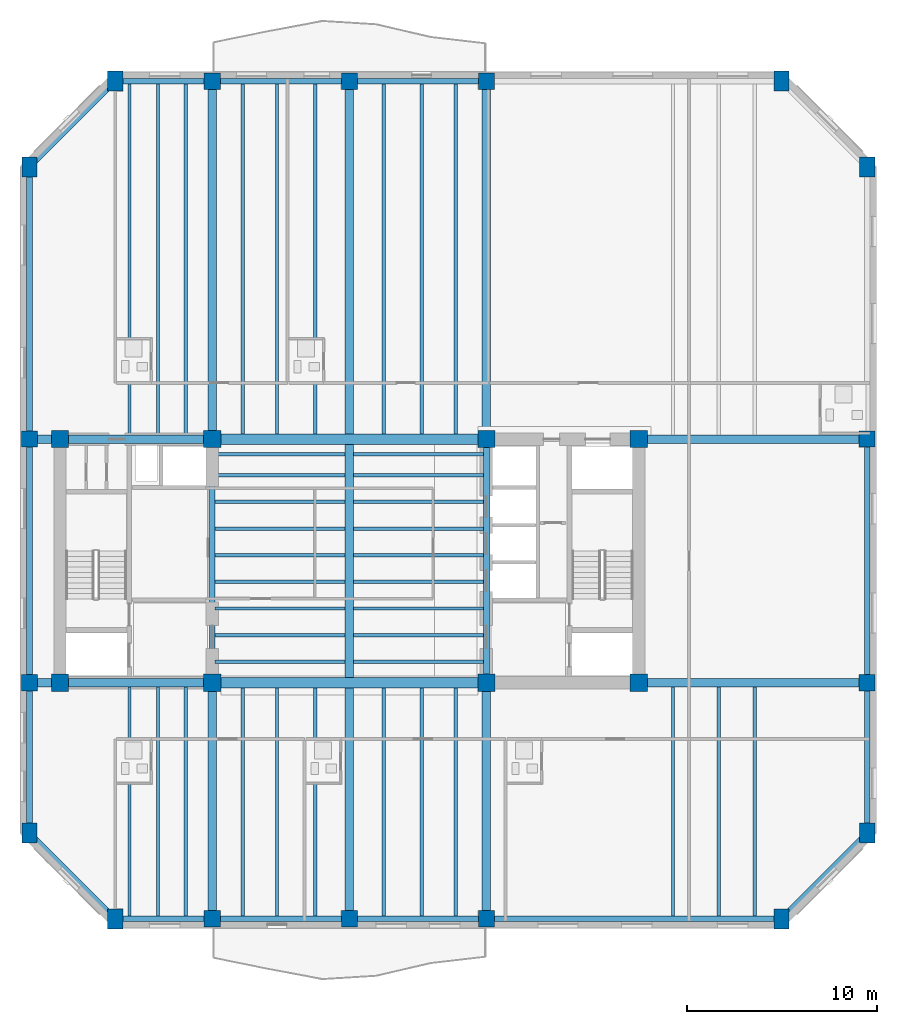
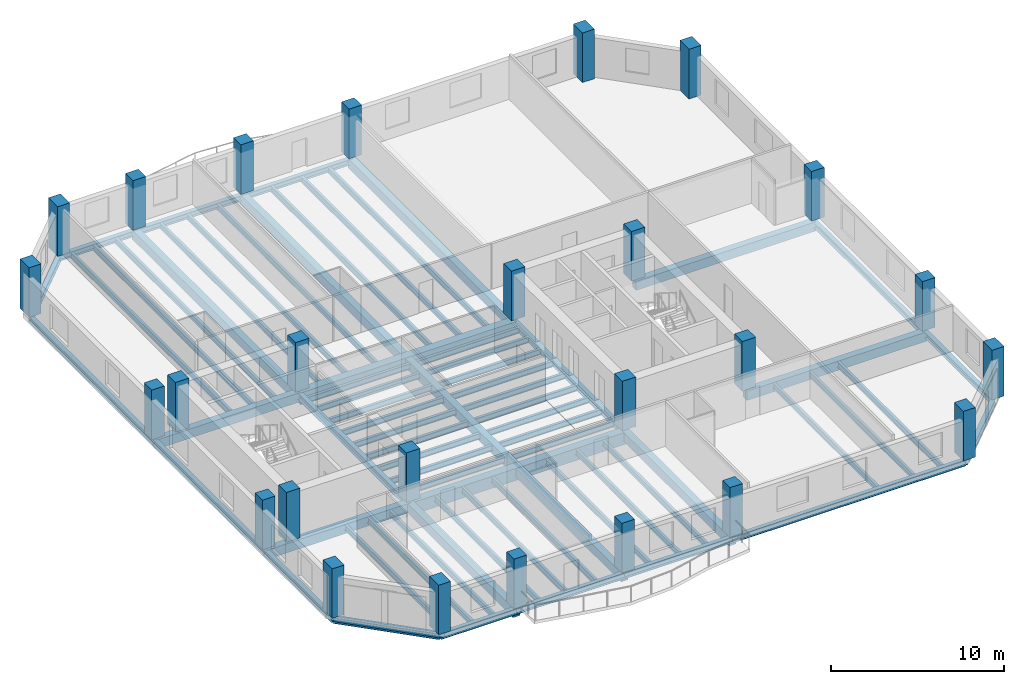
# One storey, part 1 of 9: 69 beams, 26 columns.
"""IFC4 building model written with IfcOpenShell, lengths in metres."""

from ifc_helpers import new_model, si_unit, direction, frame, origin, origin_2d, place, context, subcontext, project, spatial, rectangle, i_section, extrude, material, material_profile, profile_set, type_object, element, save


model = new_model("IFC4")

# Units and contexts
model_context = context("Model", 3, precision=1e-05, world=origin(), true_north=direction((0.0, 1.0)))
body_context = subcontext(model_context, "Body", "Model", "MODEL_VIEW")
ifc_project = project(units=[si_unit("LENGTHUNIT", "METRE"), si_unit("AREAUNIT", "SQUARE_METRE"), si_unit("VOLUMEUNIT", "CUBIC_METRE"), si_unit("PLANEANGLEUNIT", "RADIAN"), si_unit("MASSUNIT", "GRAM", prefix="KILO")], contexts=[model_context])

# Site, building, storey
site_placement = place(None, origin())
site = spatial("IfcSite", under=ifc_project, at=site_placement, CompositionType="ELEMENT")
building_placement = place(site_placement, origin())
building = spatial("IfcBuilding", under=site, at=building_placement, Name="Kranthara Brick Stack", CompositionType="ELEMENT")
storey_placement = place(building_placement, frame((0.0, 0.0, 169.300048828125)))
storey = spatial("IfcBuildingStorey", under=building, at=storey_placement, Name="L43", CompositionType="ELEMENT", Elevation=169.300048828125)

# Columns
ifc_material_1 = material(Name="Concrete C60/75", Category="concrete")
ifc_material_profile_1 = material_profile(ifc_material_1, rectangle(XDim=0.800048828125, YDim=1.050048828125, at=origin_2d()), Name="RC 800x1050")
ifc_profile_set_1 = profile_set([ifc_material_profile_1], Name="Concrete C60/75")
column_type_1 = type_object("IfcColumnType", Name="COL-CHAM-800x1050", PredefinedType="COLUMN", material=ifc_profile_set_1)
for number, where, z_axis, x_axis, name in (
    (1, (15.699951171875, 8.39990234375, 0.0), (0.0, 0.0, 1.0), (1.0, 0.0, 0.0), "L43 Column 09"),
    (2, (15.699951171875, 52.39990234375, 0.0), (0.0, 0.0, 1.0), (1.0, 0.0, 0.0), "L43 Column 10"),
    (3, (50.699951171875, 8.39990234375, 0.0), (0.0, 0.0, 1.0), (1.0, 0.0, 0.0), "L43 Column 17"),
    (4, (50.699951171875, 52.39990234375, 0.0), (0.0, 0.0, 1.0), (1.0, 0.0, 0.0), "L43 Column 18"),
    (5, (11.199951171875, 12.89990234375, 0.0), (0.0, 0.0, 1.0), (1.0, 0.0, 0.0), "L43 Column 19"),
    (6, (55.199951171875, 12.89990234375, 0.0), (0.0, 0.0, 1.0), (1.0, 0.0, 0.0), "L43 Column 20"),
    (7, (11.199951171875, 47.89990234375, 0.0), (0.0, 0.0, 1.0), (1.0, 0.0, 0.0), "L43 Column 25"),
    (8, (55.199951171875, 47.89990234375, 0.0), (0.0, 0.0, 1.0), (1.0, 0.0, 0.0), "L43 Column 26"),
):
    element("IfcColumn", number, at=place(storey_placement, frame(where, z_axis=z_axis, x_axis=x_axis)), inside=storey, type_object=column_type_1, Name=name, PredefinedType="COLUMN", context=body_context, shape_type="SweptSolid", body=[
        extrude(rectangle(XDim=0.800048828125, YDim=1.050048828125, at=origin_2d()), origin(), (0.0, 0.0, 1.0), 3.5),
    ])
ifc_material_2 = material(Name="Concrete C60/75", Category="concrete")
ifc_material_profile_2 = material_profile(ifc_material_2, rectangle(XDim=0.89990234375, YDim=0.89990234375, at=origin_2d()), Name="RC 900x900")
ifc_profile_set_2 = profile_set([ifc_material_profile_2], Name="Concrete C60/75")
column_type_2 = type_object("IfcColumnType", Name="COL-CORE-900", PredefinedType="COLUMN", material=ifc_profile_set_2)
for number, where, z_axis, x_axis, name in (
    (9, (12.800048828125, 20.800048828125, 0.0), (0.0, 0.0, 1.0), (1.0, 0.0, 0.0), "L43 Column 01"),
    (10, (20.800048828125, 20.800048828125, 0.0), (0.0, 0.0, 1.0), (1.0, 0.0, 0.0), "L43 Column 02"),
    (11, (12.800048828125, 33.60009765625, 0.0), (0.0, 0.0, 1.0), (1.0, 0.0, 0.0), "L43 Column 03"),
    (12, (20.800048828125, 33.60009765625, 0.0), (0.0, 0.0, 1.0), (1.0, 0.0, 0.0), "L43 Column 04"),
    (13, (35.199951171875, 20.800048828125, 0.0), (0.0, 0.0, 1.0), (1.0, 0.0, 0.0), "L43 Column 05"),
    (14, (43.199951171875, 20.800048828125, 0.0), (0.0, 0.0, 1.0), (1.0, 0.0, 0.0), "L43 Column 06"),
    (15, (35.199951171875, 33.60009765625, 0.0), (0.0, 0.0, 1.0), (1.0, 0.0, 0.0), "L43 Column 07"),
    (16, (43.199951171875, 33.60009765625, 0.0), (0.0, 0.0, 1.0), (1.0, 0.0, 0.0), "L43 Column 08"),
):
    element("IfcColumn", number, at=place(storey_placement, frame(where, z_axis=z_axis, x_axis=x_axis)), inside=storey, type_object=column_type_2, Name=name, PredefinedType="COLUMN", context=body_context, shape_type="SweptSolid", body=[
        extrude(rectangle(XDim=0.89990234375, YDim=0.89990234375, at=origin_2d()), origin(), (0.0, 0.0, 1.0), 3.5),
    ])
ifc_material_3 = material(Name="Concrete C50/60", Category="concrete")
ifc_material_profile_3 = material_profile(ifc_material_3, rectangle(XDim=0.85009765625, YDim=0.85009765625, at=origin_2d()), Name="RC 850x850")
ifc_profile_set_3 = profile_set([ifc_material_profile_3], Name="Concrete C50/60")
column_type_3 = type_object("IfcColumnType", Name="COL-PER-850", PredefinedType="COLUMN", material=ifc_profile_set_3)
for number, where, z_axis, x_axis, name in (
    (17, (20.800048828125, 8.39990234375, 0.0), (0.0, 0.0, 1.0), (1.0, 0.0, 0.0), "L43 Column 11"),
    (18, (20.800048828125, 52.39990234375, 0.0), (0.0, 0.0, 1.0), (1.0, 0.0, 0.0), "L43 Column 12"),
    (19, (28.0, 8.39990234375, 0.0), (0.0, 0.0, 1.0), (1.0, 0.0, 0.0), "L43 Column 13"),
    (20, (28.0, 52.39990234375, 0.0), (0.0, 0.0, 1.0), (1.0, 0.0, 0.0), "L43 Column 14"),
    (21, (35.199951171875, 8.39990234375, 0.0), (0.0, 0.0, 1.0), (1.0, 0.0, 0.0), "L43 Column 15"),
    (22, (35.199951171875, 52.39990234375, 0.0), (0.0, 0.0, 1.0), (1.0, 0.0, 0.0), "L43 Column 16"),
    (23, (11.199951171875, 20.800048828125, 0.0), (0.0, 0.0, 1.0), (1.0, 0.0, 0.0), "L43 Column 21"),
    (24, (55.199951171875, 20.800048828125, 0.0), (0.0, 0.0, 1.0), (1.0, 0.0, 0.0), "L43 Column 22"),
    (25, (11.199951171875, 33.60009765625, 0.0), (0.0, 0.0, 1.0), (1.0, 0.0, 0.0), "L43 Column 23"),
    (26, (55.199951171875, 33.60009765625, 0.0), (0.0, 0.0, 1.0), (1.0, 0.0, 0.0), "L43 Column 24"),
):
    element("IfcColumn", number, at=place(storey_placement, frame(where, z_axis=z_axis, x_axis=x_axis)), inside=storey, type_object=column_type_3, Name=name, PredefinedType="COLUMN", context=body_context, shape_type="SweptSolid", body=[
        extrude(rectangle(XDim=0.85009765625, YDim=0.85009765625, at=origin_2d()), origin(), (0.0, 0.0, 1.0), 3.5),
    ])

# Beams
ifc_material_4 = material(Name="Concrete C50/60", Category="concrete")
ifc_material_profile_4 = material_profile(ifc_material_4, rectangle(XDim=0.550048828125, YDim=0.85009765625, at=origin_2d()), Name="RC 550x850")
ifc_profile_set_4 = profile_set([ifc_material_profile_4], Name="Concrete C50/60")
beam_type_1 = type_object("IfcBeamType", Name="BM-CPL-RC850", PredefinedType="LINTEL", material=ifc_profile_set_4)
for number, where, z_axis, x_axis, name in (
    (27, (20.800048828125, 20.800048828125, -0.72509765625), (1.0, 0.0, 0.0), (0.0, 1.0, 0.0), "L43 Core Coupling Beam 001"),
    (28, (20.800048828125, 33.60009765625, -0.72509765625), (1.0, 0.0, 0.0), (0.0, 1.0, 0.0), "L43 Core Coupling Beam 002"),
):
    element("IfcBeam", number, at=place(storey_placement, frame(where, z_axis=z_axis, x_axis=x_axis)), inside=storey, type_object=beam_type_1, Name=name, PredefinedType="LINTEL", context=body_context, shape_type="SweptSolid", body=[
        extrude(rectangle(XDim=0.550048828125, YDim=0.85009765625, at=origin_2d()), origin(), (0.0, 0.0, 1.0), 14.39990234375),
    ])
ifc_material_5 = material(Name="Post-tensioned concrete C45/55", Category="concrete")
ifc_material_profile_5 = material_profile(ifc_material_5, rectangle(XDim=0.449951171875, YDim=0.64990234375, at=origin_2d()), Name="PT 450x650")
ifc_profile_set_5 = profile_set([ifc_material_profile_5], Name="Post-tensioned concrete C45/55")
beam_type_2 = type_object("IfcBeamType", Name="BM-FLR-PT650", PredefinedType="BEAM", material=ifc_profile_set_5)
beam_1_placement = place(storey_placement, frame((20.800048828125, 8.39990234375, -0.625), z_axis=(0.0, 1.0, 0.0), x_axis=(-1.0, 0.0, 0.0)))
element("IfcBeam", 29, at=beam_1_placement, inside=storey, type_object=beam_type_2, Name="L43 Primary Grid Girder 023", PredefinedType="BEAM", context=body_context, shape_type="SweptSolid", body=[
    extrude(rectangle(XDim=0.449951171875, YDim=0.64990234375, at=origin_2d()), origin(), (0.0, 0.0, 1.0), 12.400146484375),
])
beam_2_placement = place(storey_placement, frame((20.800048828125, 33.60009765625, -0.625), z_axis=(0.0, 1.0, 0.0), x_axis=(-1.0, 0.0, 0.0)))
element("IfcBeam", 30, at=beam_2_placement, inside=storey, type_object=beam_type_2, Name="L43 Primary Grid Girder 024", PredefinedType="BEAM", context=body_context, shape_type="SweptSolid", body=[
    extrude(rectangle(XDim=0.449951171875, YDim=0.64990234375, at=origin_2d()), origin(), (0.0, 0.0, 1.0), 18.7998046875),
])
beam_3_placement = place(storey_placement, frame((28.0, 8.39990234375, -0.625), z_axis=(0.0, 1.0, 0.0), x_axis=(-1.0, 0.0, 0.0)))
element("IfcBeam", 31, at=beam_3_placement, inside=storey, type_object=beam_type_2, Name="L43 Primary Grid Girder 025", PredefinedType="BEAM", context=body_context, shape_type="SweptSolid", body=[
    extrude(rectangle(XDim=0.449951171875, YDim=0.64990234375, at=origin_2d()), origin(), (0.0, 0.0, 1.0), 12.125),
])
beam_4_placement = place(storey_placement, frame((28.0, 21.074951171875, -0.625), z_axis=(0.0, 1.0, 0.0), x_axis=(-1.0, 0.0, 0.0)))
element("IfcBeam", 32, at=beam_4_placement, inside=storey, type_object=beam_type_2, Name="L43 Central Spine Girder 026", PredefinedType="BEAM", context=body_context, shape_type="SweptSolid", body=[
    extrude(rectangle(XDim=0.449951171875, YDim=0.64990234375, at=origin_2d()), origin(), (0.0, 0.0, 1.0), 12.25),
])
beam_5_placement = place(storey_placement, frame((28.0, 33.875, -0.625), z_axis=(0.0, 1.0, 0.0), x_axis=(-1.0, 0.0, 0.0)))
element("IfcBeam", 33, at=beam_5_placement, inside=storey, type_object=beam_type_2, Name="L43 Primary Grid Girder 027", PredefinedType="BEAM", context=body_context, shape_type="SweptSolid", body=[
    extrude(rectangle(XDim=0.449951171875, YDim=0.64990234375, at=origin_2d()), origin(), (0.0, 0.0, 1.0), 18.52490234375),
])
beam_6_placement = place(storey_placement, frame((35.199951171875, 8.39990234375, -0.625), z_axis=(0.0, 1.0, 0.0), x_axis=(-1.0, 0.0, 0.0)))
element("IfcBeam", 34, at=beam_6_placement, inside=storey, type_object=beam_type_2, Name="L43 Primary Grid Girder 028", PredefinedType="BEAM", context=body_context, shape_type="SweptSolid", body=[
    extrude(rectangle(XDim=0.449951171875, YDim=0.64990234375, at=origin_2d()), origin(), (0.0, 0.0, 1.0), 12.400146484375),
])
beam_7_placement = place(storey_placement, frame((35.199951171875, 33.60009765625, -0.625), z_axis=(0.0, 1.0, 0.0), x_axis=(-1.0, 0.0, 0.0)))
element("IfcBeam", 35, at=beam_7_placement, inside=storey, type_object=beam_type_2, Name="L43 Primary Grid Girder 029", PredefinedType="BEAM", context=body_context, shape_type="SweptSolid", body=[
    extrude(rectangle(XDim=0.449951171875, YDim=0.64990234375, at=origin_2d()), origin(), (0.0, 0.0, 1.0), 18.7998046875),
])
beam_8_placement = place(storey_placement, frame((11.199951171875, 20.800048828125, -0.625), z_axis=(1.0, 0.0, 0.0), x_axis=(0.0, 1.0, 0.0)))
element("IfcBeam", 36, at=beam_8_placement, inside=storey, type_object=beam_type_2, Name="L43 Primary Grid Girder 030", PredefinedType="BEAM", context=body_context, shape_type="SweptSolid", body=[
    extrude(rectangle(XDim=0.449951171875, YDim=0.64990234375, at=origin_2d()), origin(), (0.0, 0.0, 1.0), 9.60009765625),
])
beam_9_placement = place(storey_placement, frame((43.199951171875, 20.800048828125, -0.625), z_axis=(1.0, 0.0, 0.0), x_axis=(0.0, 1.0, 0.0)))
element("IfcBeam", 37, at=beam_9_placement, inside=storey, type_object=beam_type_2, Name="L43 Primary Grid Girder 031", PredefinedType="BEAM", context=body_context, shape_type="SweptSolid", body=[
    extrude(rectangle(XDim=0.449951171875, YDim=0.64990234375, at=origin_2d()), origin(), (0.0, 0.0, 1.0), 12.0),
])
beam_10_placement = place(storey_placement, frame((11.199951171875, 33.60009765625, -0.625), z_axis=(1.0, 0.0, 0.0), x_axis=(0.0, 1.0, 0.0)))
element("IfcBeam", 38, at=beam_10_placement, inside=storey, type_object=beam_type_2, Name="L43 Primary Grid Girder 032", PredefinedType="BEAM", context=body_context, shape_type="SweptSolid", body=[
    extrude(rectangle(XDim=0.449951171875, YDim=0.64990234375, at=origin_2d()), origin(), (0.0, 0.0, 1.0), 9.60009765625),
])
beam_11_placement = place(storey_placement, frame((43.199951171875, 33.60009765625, -0.625), z_axis=(1.0, 0.0, 0.0), x_axis=(0.0, 1.0, 0.0)))
element("IfcBeam", 39, at=beam_11_placement, inside=storey, type_object=beam_type_2, Name="L43 Primary Grid Girder 033", PredefinedType="BEAM", context=body_context, shape_type="SweptSolid", body=[
    extrude(rectangle(XDim=0.449951171875, YDim=0.64990234375, at=origin_2d()), origin(), (0.0, 0.0, 1.0), 12.0),
])
ifc_material_6 = material(Name="Steel S355", Category="steel")
ifc_material_profile_6 = material_profile(ifc_material_6, i_section(OverallWidth=0.179931640625, OverallDepth=0.39990234375, WebThickness=0.008544921875, FlangeThickness=0.013427734375, at=origin_2d()), Name="IPE 400")
ifc_profile_set_6 = profile_set([ifc_material_profile_6], Name="Steel S355")
beam_type_3 = type_object("IfcBeamType", Name="BM-JST-IPE400", PredefinedType="JOIST", material=ifc_profile_set_6)
for number, where, z_axis, x_axis, name in (
    (40, (20.949951171875, 21.89990234375, -0.5), (1.0, 0.0, 0.0), (0.0, 1.0, 0.0), "L43 Central Floor Joist 034"),
    (41, (28.22509765625, 21.89990234375, -0.5), (1.0, 0.0, 0.0), (0.0, 1.0, 0.0), "L43 Central Floor Joist 035"),
    (42, (20.949951171875, 23.300048828125, -0.5), (1.0, 0.0, 0.0), (0.0, 1.0, 0.0), "L43 Central Floor Joist 036"),
    (43, (28.22509765625, 23.300048828125, -0.5), (1.0, 0.0, 0.0), (0.0, 1.0, 0.0), "L43 Central Floor Joist 037"),
    (44, (20.949951171875, 24.699951171875, -0.5), (1.0, 0.0, 0.0), (0.0, 1.0, 0.0), "L43 Central Floor Joist 038"),
    (45, (28.22509765625, 24.699951171875, -0.5), (1.0, 0.0, 0.0), (0.0, 1.0, 0.0), "L43 Central Floor Joist 039"),
    (46, (20.949951171875, 26.10009765625, -0.5), (1.0, 0.0, 0.0), (0.0, 1.0, 0.0), "L43 Central Floor Joist 040"),
    (47, (28.22509765625, 26.10009765625, -0.5), (1.0, 0.0, 0.0), (0.0, 1.0, 0.0), "L43 Central Floor Joist 041"),
    (48, (20.949951171875, 27.5, -0.5), (1.0, 0.0, 0.0), (0.0, 1.0, 0.0), "L43 Central Floor Joist 042"),
    (49, (28.22509765625, 27.5, -0.5), (1.0, 0.0, 0.0), (0.0, 1.0, 0.0), "L43 Central Floor Joist 043"),
    (50, (20.949951171875, 28.89990234375, -0.5), (1.0, 0.0, 0.0), (0.0, 1.0, 0.0), "L43 Central Floor Joist 044"),
    (51, (28.22509765625, 28.89990234375, -0.5), (1.0, 0.0, 0.0), (0.0, 1.0, 0.0), "L43 Central Floor Joist 045"),
    (52, (20.949951171875, 30.300048828125, -0.5), (1.0, 0.0, 0.0), (0.0, 1.0, 0.0), "L43 Central Floor Joist 046"),
    (53, (28.22509765625, 30.300048828125, -0.5), (1.0, 0.0, 0.0), (0.0, 1.0, 0.0), "L43 Central Floor Joist 047"),
    (54, (20.949951171875, 31.699951171875, -0.5), (1.0, 0.0, 0.0), (0.0, 1.0, 0.0), "L43 Central Floor Joist 048"),
    (55, (28.22509765625, 31.699951171875, -0.5), (1.0, 0.0, 0.0), (0.0, 1.0, 0.0), "L43 Central Floor Joist 049"),
    (56, (20.949951171875, 32.800048828125, -0.5), (1.0, 0.0, 0.0), (0.0, 1.0, 0.0), "L43 Central Floor Joist 050"),
    (57, (28.22509765625, 32.800048828125, -0.5), (1.0, 0.0, 0.0), (0.0, 1.0, 0.0), "L43 Central Floor Joist 051"),
):
    element("IfcBeam", number, at=place(storey_placement, frame(where, z_axis=z_axis, x_axis=x_axis)), inside=storey, type_object=beam_type_3, Name=name, PredefinedType="JOIST", context=body_context, shape_type="SweptSolid", body=[
        extrude(i_section(OverallWidth=0.179931640625, OverallDepth=0.39990234375, WebThickness=0.008544921875, FlangeThickness=0.013427734375, at=origin_2d()), origin(), (0.0, 0.0, 1.0), 6.824951171875),
    ])
beam_12_placement = place(storey_placement, frame((16.449951171875, 8.550048828125, -0.5), z_axis=(0.0, 1.0, 0.0), x_axis=(-1.0, 0.0, 0.0)))
element("IfcBeam", 58, at=beam_12_placement, inside=storey, type_object=beam_type_3, Name="L43 South Wing Floor Joist 052", PredefinedType="JOIST", context=body_context, shape_type="SweptSolid", body=[
    extrude(i_section(OverallWidth=0.179931640625, OverallDepth=0.39990234375, WebThickness=0.008544921875, FlangeThickness=0.013427734375, at=origin_2d()), origin(), (0.0, 0.0, 1.0), 12.02490234375),
])
beam_13_placement = place(storey_placement, frame((16.449951171875, 33.824951171875, -0.5), z_axis=(0.0, 1.0, 0.0), x_axis=(-1.0, 0.0, 0.0)))
element("IfcBeam", 59, at=beam_13_placement, inside=storey, type_object=beam_type_3, Name="L43 North Wing Floor Joist 053", PredefinedType="JOIST", context=body_context, shape_type="SweptSolid", body=[
    extrude(i_section(OverallWidth=0.179931640625, OverallDepth=0.39990234375, WebThickness=0.008544921875, FlangeThickness=0.013427734375, at=origin_2d()), origin(), (0.0, 0.0, 1.0), 18.425048828125),
])
beam_14_placement = place(storey_placement, frame((17.949951171875, 8.550048828125, -0.5), z_axis=(0.0, 1.0, 0.0), x_axis=(-1.0, 0.0, 0.0)))
element("IfcBeam", 60, at=beam_14_placement, inside=storey, type_object=beam_type_3, Name="L43 South Wing Floor Joist 054", PredefinedType="JOIST", context=body_context, shape_type="SweptSolid", body=[
    extrude(i_section(OverallWidth=0.179931640625, OverallDepth=0.39990234375, WebThickness=0.008544921875, FlangeThickness=0.013427734375, at=origin_2d()), origin(), (0.0, 0.0, 1.0), 12.02490234375),
])
beam_15_placement = place(storey_placement, frame((17.949951171875, 33.824951171875, -0.5), z_axis=(0.0, 1.0, 0.0), x_axis=(-1.0, 0.0, 0.0)))
element("IfcBeam", 61, at=beam_15_placement, inside=storey, type_object=beam_type_3, Name="L43 North Wing Floor Joist 055", PredefinedType="JOIST", context=body_context, shape_type="SweptSolid", body=[
    extrude(i_section(OverallWidth=0.179931640625, OverallDepth=0.39990234375, WebThickness=0.008544921875, FlangeThickness=0.013427734375, at=origin_2d()), origin(), (0.0, 0.0, 1.0), 18.425048828125),
])
beam_16_placement = place(storey_placement, frame((19.39990234375, 8.550048828125, -0.5), z_axis=(0.0, 1.0, 0.0), x_axis=(-1.0, 0.0, 0.0)))
element("IfcBeam", 62, at=beam_16_placement, inside=storey, type_object=beam_type_3, Name="L43 South Wing Floor Joist 056", PredefinedType="JOIST", context=body_context, shape_type="SweptSolid", body=[
    extrude(i_section(OverallWidth=0.179931640625, OverallDepth=0.39990234375, WebThickness=0.008544921875, FlangeThickness=0.013427734375, at=origin_2d()), origin(), (0.0, 0.0, 1.0), 12.02490234375),
])
beam_17_placement = place(storey_placement, frame((19.39990234375, 33.824951171875, -0.5), z_axis=(0.0, 1.0, 0.0), x_axis=(-1.0, 0.0, 0.0)))
element("IfcBeam", 63, at=beam_17_placement, inside=storey, type_object=beam_type_3, Name="L43 North Wing Floor Joist 057", PredefinedType="JOIST", context=body_context, shape_type="SweptSolid", body=[
    extrude(i_section(OverallWidth=0.179931640625, OverallDepth=0.39990234375, WebThickness=0.008544921875, FlangeThickness=0.013427734375, at=origin_2d()), origin(), (0.0, 0.0, 1.0), 18.425048828125),
])
beam_18_placement = place(storey_placement, frame((22.39990234375, 8.550048828125, -0.5), z_axis=(0.0, 1.0, 0.0), x_axis=(-1.0, 0.0, 0.0)))
element("IfcBeam", 64, at=beam_18_placement, inside=storey, type_object=beam_type_3, Name="L43 South Wing Floor Joist 058", PredefinedType="JOIST", context=body_context, shape_type="SweptSolid", body=[
    extrude(i_section(OverallWidth=0.179931640625, OverallDepth=0.39990234375, WebThickness=0.008544921875, FlangeThickness=0.013427734375, at=origin_2d()), origin(), (0.0, 0.0, 1.0), 11.974853515625),
])
beam_19_placement = place(storey_placement, frame((22.39990234375, 33.875, -0.5), z_axis=(0.0, 1.0, 0.0), x_axis=(-1.0, 0.0, 0.0)))
element("IfcBeam", 65, at=beam_19_placement, inside=storey, type_object=beam_type_3, Name="L43 North Wing Floor Joist 059", PredefinedType="JOIST", context=body_context, shape_type="SweptSolid", body=[
    extrude(i_section(OverallWidth=0.179931640625, OverallDepth=0.39990234375, WebThickness=0.008544921875, FlangeThickness=0.013427734375, at=origin_2d()), origin(), (0.0, 0.0, 1.0), 18.375),
])
beam_20_placement = place(storey_placement, frame((24.199951171875, 8.550048828125, -0.5), z_axis=(0.0, 1.0, 0.0), x_axis=(-1.0, 0.0, 0.0)))
element("IfcBeam", 66, at=beam_20_placement, inside=storey, type_object=beam_type_3, Name="L43 South Wing Floor Joist 060", PredefinedType="JOIST", context=body_context, shape_type="SweptSolid", body=[
    extrude(i_section(OverallWidth=0.179931640625, OverallDepth=0.39990234375, WebThickness=0.008544921875, FlangeThickness=0.013427734375, at=origin_2d()), origin(), (0.0, 0.0, 1.0), 11.974853515625),
])
beam_21_placement = place(storey_placement, frame((24.199951171875, 33.875, -0.5), z_axis=(0.0, 1.0, 0.0), x_axis=(-1.0, 0.0, 0.0)))
element("IfcBeam", 67, at=beam_21_placement, inside=storey, type_object=beam_type_3, Name="L43 North Wing Floor Joist 061", PredefinedType="JOIST", context=body_context, shape_type="SweptSolid", body=[
    extrude(i_section(OverallWidth=0.179931640625, OverallDepth=0.39990234375, WebThickness=0.008544921875, FlangeThickness=0.013427734375, at=origin_2d()), origin(), (0.0, 0.0, 1.0), 18.375),
])
beam_22_placement = place(storey_placement, frame((26.199951171875, 8.550048828125, -0.5), z_axis=(0.0, 1.0, 0.0), x_axis=(-1.0, 0.0, 0.0)))
element("IfcBeam", 68, at=beam_22_placement, inside=storey, type_object=beam_type_3, Name="L43 South Wing Floor Joist 062", PredefinedType="JOIST", context=body_context, shape_type="SweptSolid", body=[
    extrude(i_section(OverallWidth=0.179931640625, OverallDepth=0.39990234375, WebThickness=0.008544921875, FlangeThickness=0.013427734375, at=origin_2d()), origin(), (0.0, 0.0, 1.0), 11.974853515625),
])
beam_23_placement = place(storey_placement, frame((26.199951171875, 33.875, -0.5), z_axis=(0.0, 1.0, 0.0), x_axis=(-1.0, 0.0, 0.0)))
element("IfcBeam", 69, at=beam_23_placement, inside=storey, type_object=beam_type_3, Name="L43 North Wing Floor Joist 063", PredefinedType="JOIST", context=body_context, shape_type="SweptSolid", body=[
    extrude(i_section(OverallWidth=0.179931640625, OverallDepth=0.39990234375, WebThickness=0.008544921875, FlangeThickness=0.013427734375, at=origin_2d()), origin(), (0.0, 0.0, 1.0), 18.375),
])
beam_24_placement = place(storey_placement, frame((29.800048828125, 8.550048828125, -0.5), z_axis=(0.0, 1.0, 0.0), x_axis=(-1.0, 0.0, 0.0)))
element("IfcBeam", 70, at=beam_24_placement, inside=storey, type_object=beam_type_3, Name="L43 South Wing Floor Joist 064", PredefinedType="JOIST", context=body_context, shape_type="SweptSolid", body=[
    extrude(i_section(OverallWidth=0.179931640625, OverallDepth=0.39990234375, WebThickness=0.008544921875, FlangeThickness=0.013427734375, at=origin_2d()), origin(), (0.0, 0.0, 1.0), 11.974853515625),
])
beam_25_placement = place(storey_placement, frame((29.800048828125, 33.875, -0.5), z_axis=(0.0, 1.0, 0.0), x_axis=(-1.0, 0.0, 0.0)))
element("IfcBeam", 71, at=beam_25_placement, inside=storey, type_object=beam_type_3, Name="L43 North Wing Floor Joist 065", PredefinedType="JOIST", context=body_context, shape_type="SweptSolid", body=[
    extrude(i_section(OverallWidth=0.179931640625, OverallDepth=0.39990234375, WebThickness=0.008544921875, FlangeThickness=0.013427734375, at=origin_2d()), origin(), (0.0, 0.0, 1.0), 18.375),
])
beam_26_placement = place(storey_placement, frame((31.800048828125, 8.550048828125, -0.5), z_axis=(0.0, 1.0, 0.0), x_axis=(-1.0, 0.0, 0.0)))
element("IfcBeam", 72, at=beam_26_placement, inside=storey, type_object=beam_type_3, Name="L43 South Wing Floor Joist 066", PredefinedType="JOIST", context=body_context, shape_type="SweptSolid", body=[
    extrude(i_section(OverallWidth=0.179931640625, OverallDepth=0.39990234375, WebThickness=0.008544921875, FlangeThickness=0.013427734375, at=origin_2d()), origin(), (0.0, 0.0, 1.0), 11.974853515625),
])
beam_27_placement = place(storey_placement, frame((31.800048828125, 33.875, -0.5), z_axis=(0.0, 1.0, 0.0), x_axis=(-1.0, 0.0, 0.0)))
element("IfcBeam", 73, at=beam_27_placement, inside=storey, type_object=beam_type_3, Name="L43 North Wing Floor Joist 067", PredefinedType="JOIST", context=body_context, shape_type="SweptSolid", body=[
    extrude(i_section(OverallWidth=0.179931640625, OverallDepth=0.39990234375, WebThickness=0.008544921875, FlangeThickness=0.013427734375, at=origin_2d()), origin(), (0.0, 0.0, 1.0), 18.375),
])
beam_28_placement = place(storey_placement, frame((33.60009765625, 8.550048828125, -0.5), z_axis=(0.0, 1.0, 0.0), x_axis=(-1.0, 0.0, 0.0)))
element("IfcBeam", 74, at=beam_28_placement, inside=storey, type_object=beam_type_3, Name="L43 South Wing Floor Joist 068", PredefinedType="JOIST", context=body_context, shape_type="SweptSolid", body=[
    extrude(i_section(OverallWidth=0.179931640625, OverallDepth=0.39990234375, WebThickness=0.008544921875, FlangeThickness=0.013427734375, at=origin_2d()), origin(), (0.0, 0.0, 1.0), 11.974853515625),
])
beam_29_placement = place(storey_placement, frame((33.60009765625, 33.875, -0.5), z_axis=(0.0, 1.0, 0.0), x_axis=(-1.0, 0.0, 0.0)))
element("IfcBeam", 75, at=beam_29_placement, inside=storey, type_object=beam_type_3, Name="L43 North Wing Floor Joist 069", PredefinedType="JOIST", context=body_context, shape_type="SweptSolid", body=[
    extrude(i_section(OverallWidth=0.179931640625, OverallDepth=0.39990234375, WebThickness=0.008544921875, FlangeThickness=0.013427734375, at=origin_2d()), origin(), (0.0, 0.0, 1.0), 18.375),
])
for number, where, z_axis, x_axis, name in (
    (76, (45.0, 8.550048828125, -0.5), (0.0, 1.0, 0.0), (-1.0, 0.0, 0.0), "L43 South Wing Floor Joist 070"),
    (77, (47.39990234375, 8.550048828125, -0.5), (0.0, 1.0, 0.0), (-1.0, 0.0, 0.0), "L43 South Wing Floor Joist 072"),
    (78, (49.300048828125, 8.550048828125, -0.5), (0.0, 1.0, 0.0), (-1.0, 0.0, 0.0), "L43 South Wing Floor Joist 074"),
):
    element("IfcBeam", number, at=place(storey_placement, frame(where, z_axis=z_axis, x_axis=x_axis)), inside=storey, type_object=beam_type_3, Name=name, PredefinedType="JOIST", context=body_context, shape_type="SweptSolid", body=[
        extrude(i_section(OverallWidth=0.179931640625, OverallDepth=0.39990234375, WebThickness=0.008544921875, FlangeThickness=0.013427734375, at=origin_2d()), origin(), (0.0, 0.0, 1.0), 12.02490234375),
    ])
ifc_material_7 = material(Name="Steel S355", Category="steel")
ifc_material_profile_7 = material_profile(ifc_material_7, i_section(OverallWidth=0.300048828125, OverallDepth=0.39990234375, WebThickness=0.013427734375, FlangeThickness=0.02392578125, at=origin_2d()), Name="HEB 400")
ifc_profile_set_7 = profile_set([ifc_material_profile_7], Name="Steel S355")
beam_type_4 = type_object("IfcBeamType", Name="BM-STL-HEB400", PredefinedType="SPANDREL", material=ifc_profile_set_7)
beam_30_placement = place(storey_placement, frame((15.699951171875, 8.39990234375, -0.5), z_axis=(1.0, 0.0, 0.0), x_axis=(0.0, 1.0, 0.0)))
element("IfcBeam", 79, at=beam_30_placement, inside=storey, type_object=beam_type_4, Name="L43 Perimeter Spandrel Beam 005", PredefinedType="SPANDREL", context=body_context, shape_type="SweptSolid", body=[
    extrude(i_section(OverallWidth=0.300048828125, OverallDepth=0.39990234375, WebThickness=0.013427734375, FlangeThickness=0.02392578125, at=origin_2d()), origin(), (0.0, 0.0, 1.0), 5.10009765625),
])
for number, where, z_axis, x_axis, name in (
    (80, (20.800048828125, 8.39990234375, -0.5), (1.0, 0.0, 0.0), (0.0, 1.0, 0.0), "L43 Perimeter Spandrel Beam 006"),
    (81, (28.0, 8.39990234375, -0.5), (1.0, 0.0, 0.0), (0.0, 1.0, 0.0), "L43 Perimeter Spandrel Beam 007"),
):
    element("IfcBeam", number, at=place(storey_placement, frame(where, z_axis=z_axis, x_axis=x_axis)), inside=storey, type_object=beam_type_4, Name=name, PredefinedType="SPANDREL", context=body_context, shape_type="SweptSolid", body=[
        extrude(i_section(OverallWidth=0.300048828125, OverallDepth=0.39990234375, WebThickness=0.013427734375, FlangeThickness=0.02392578125, at=origin_2d()), origin(), (0.0, 0.0, 1.0), 7.199951171875),
    ])
beam_31_placement = place(storey_placement, frame((35.199951171875, 8.39990234375, -0.5), z_axis=(1.0, 0.0, 0.0), x_axis=(0.0, 1.0, 0.0)))
element("IfcBeam", 82, at=beam_31_placement, inside=storey, type_object=beam_type_4, Name="L43 Perimeter Spandrel Beam 008", PredefinedType="SPANDREL", context=body_context, shape_type="SweptSolid", body=[
    extrude(i_section(OverallWidth=0.300048828125, OverallDepth=0.39990234375, WebThickness=0.013427734375, FlangeThickness=0.02392578125, at=origin_2d()), origin(), (0.0, 0.0, 1.0), 15.5),
])
beam_32_placement = place(storey_placement, frame((15.699951171875, 52.39990234375, -0.5), z_axis=(1.0, 0.0, 0.0), x_axis=(0.0, 1.0, 0.0)))
element("IfcBeam", 83, at=beam_32_placement, inside=storey, type_object=beam_type_4, Name="L43 Perimeter Spandrel Beam 009", PredefinedType="SPANDREL", context=body_context, shape_type="SweptSolid", body=[
    extrude(i_section(OverallWidth=0.300048828125, OverallDepth=0.39990234375, WebThickness=0.013427734375, FlangeThickness=0.02392578125, at=origin_2d()), origin(), (0.0, 0.0, 1.0), 5.10009765625),
])
for number, where, z_axis, x_axis, name in (
    (84, (20.800048828125, 52.39990234375, -0.5), (1.0, 0.0, 0.0), (0.0, 1.0, 0.0), "L43 Perimeter Spandrel Beam 010"),
    (85, (28.0, 52.39990234375, -0.5), (1.0, 0.0, 0.0), (0.0, 1.0, 0.0), "L43 Perimeter Spandrel Beam 011"),
):
    element("IfcBeam", number, at=place(storey_placement, frame(where, z_axis=z_axis, x_axis=x_axis)), inside=storey, type_object=beam_type_4, Name=name, PredefinedType="SPANDREL", context=body_context, shape_type="SweptSolid", body=[
        extrude(i_section(OverallWidth=0.300048828125, OverallDepth=0.39990234375, WebThickness=0.013427734375, FlangeThickness=0.02392578125, at=origin_2d()), origin(), (0.0, 0.0, 1.0), 7.199951171875),
    ])
beam_33_placement = place(storey_placement, frame((11.199951171875, 12.89990234375, -0.5), z_axis=(0.0, 1.0, 0.0), x_axis=(-1.0, 0.0, 0.0)))
element("IfcBeam", 86, at=beam_33_placement, inside=storey, type_object=beam_type_4, Name="L43 Perimeter Spandrel Beam 013", PredefinedType="SPANDREL", context=body_context, shape_type="SweptSolid", body=[
    extrude(i_section(OverallWidth=0.300048828125, OverallDepth=0.39990234375, WebThickness=0.013427734375, FlangeThickness=0.02392578125, at=origin_2d()), origin(), (0.0, 0.0, 1.0), 7.900146484375),
])
beam_34_placement = place(storey_placement, frame((11.199951171875, 20.800048828125, -0.5), z_axis=(0.0, 1.0, 0.0), x_axis=(-1.0, 0.0, 0.0)))
element("IfcBeam", 87, at=beam_34_placement, inside=storey, type_object=beam_type_4, Name="L43 Perimeter Spandrel Beam 014", PredefinedType="SPANDREL", context=body_context, shape_type="SweptSolid", body=[
    extrude(i_section(OverallWidth=0.300048828125, OverallDepth=0.39990234375, WebThickness=0.013427734375, FlangeThickness=0.02392578125, at=origin_2d()), origin(), (0.0, 0.0, 1.0), 12.800048828125),
])
beam_35_placement = place(storey_placement, frame((11.199951171875, 33.60009765625, -0.5), z_axis=(0.0, 1.0, 0.0), x_axis=(-1.0, 0.0, 0.0)))
element("IfcBeam", 88, at=beam_35_placement, inside=storey, type_object=beam_type_4, Name="L43 Perimeter Spandrel Beam 015", PredefinedType="SPANDREL", context=body_context, shape_type="SweptSolid", body=[
    extrude(i_section(OverallWidth=0.300048828125, OverallDepth=0.39990234375, WebThickness=0.013427734375, FlangeThickness=0.02392578125, at=origin_2d()), origin(), (0.0, 0.0, 1.0), 14.2998046875),
])
beam_36_placement = place(storey_placement, frame((55.199951171875, 12.89990234375, -0.5), z_axis=(0.0, 1.0, 0.0), x_axis=(-1.0, 0.0, 0.0)))
element("IfcBeam", 89, at=beam_36_placement, inside=storey, type_object=beam_type_4, Name="L43 Perimeter Spandrel Beam 016", PredefinedType="SPANDREL", context=body_context, shape_type="SweptSolid", body=[
    extrude(i_section(OverallWidth=0.300048828125, OverallDepth=0.39990234375, WebThickness=0.013427734375, FlangeThickness=0.02392578125, at=origin_2d()), origin(), (0.0, 0.0, 1.0), 7.900146484375),
])
beam_37_placement = place(storey_placement, frame((55.199951171875, 20.800048828125, -0.5), z_axis=(0.0, 1.0, 0.0), x_axis=(-1.0, 0.0, 0.0)))
element("IfcBeam", 90, at=beam_37_placement, inside=storey, type_object=beam_type_4, Name="L43 Perimeter Spandrel Beam 017", PredefinedType="SPANDREL", context=body_context, shape_type="SweptSolid", body=[
    extrude(i_section(OverallWidth=0.300048828125, OverallDepth=0.39990234375, WebThickness=0.013427734375, FlangeThickness=0.02392578125, at=origin_2d()), origin(), (0.0, 0.0, 1.0), 12.800048828125),
])
for number, where, z_axis, x_axis, name in (
    (91, (15.699951171875, 8.39990234375, -0.5), (-0.707106781187, 0.707106781187, 0.0), (-0.707106781187, -0.707106781187, 0.0), "L43 Chamfer Corner Spandrel 019"),
    (92, (50.699951171875, 8.39990234375, -0.5), (0.707106781187, 0.707106781187, 0.0), (-0.707106781187, 0.707106781187, 0.0), "L43 Chamfer Corner Spandrel 020"),
    (93, (15.699951171875, 52.39990234375, -0.5), (-0.707106781187, -0.707106781187, 0.0), (0.707106781187, -0.707106781187, 0.0), "L43 Chamfer Corner Spandrel 021"),
):
    element("IfcBeam", number, at=place(storey_placement, frame(where, z_axis=z_axis, x_axis=x_axis)), inside=storey, type_object=beam_type_4, Name=name, PredefinedType="SPANDREL", context=body_context, shape_type="SweptSolid", body=[
        extrude(i_section(OverallWidth=0.300048828125, OverallDepth=0.39990234375, WebThickness=0.013427734375, FlangeThickness=0.02392578125, at=origin_2d()), origin(), (0.0, 0.0, 1.0), 6.364013671875),
    ])
ifc_material_8 = material(Name="Steel S355", Category="steel")
ifc_material_profile_8 = material_profile(ifc_material_8, i_section(OverallWidth=0.300048828125, OverallDepth=0.449951171875, WebThickness=0.013916015625, FlangeThickness=0.02587890625, at=origin_2d()), Name="HEB 450")
ifc_profile_set_8 = profile_set([ifc_material_profile_8], Name="Steel S355")
beam_type_5 = type_object("IfcBeamType", Name="BM-STL-HEB450", PredefinedType="SPANDREL", material=ifc_profile_set_8)
for number, where, z_axis, x_axis, name in (
    (94, (20.800048828125, 20.800048828125, -0.525146484375), (0.0, 1.0, 0.0), (-1.0, 0.0, 0.0), "L43 Core Edge Tie Beam 003"),
    (95, (35.199951171875, 20.800048828125, -0.525146484375), (0.0, 1.0, 0.0), (-1.0, 0.0, 0.0), "L43 Core Edge Tie Beam 004"),
):
    element("IfcBeam", number, at=place(storey_placement, frame(where, z_axis=z_axis, x_axis=x_axis)), inside=storey, type_object=beam_type_5, Name=name, PredefinedType="SPANDREL", context=body_context, shape_type="SweptSolid", body=[
        extrude(i_section(OverallWidth=0.300048828125, OverallDepth=0.449951171875, WebThickness=0.013916015625, FlangeThickness=0.02587890625, at=origin_2d()), origin(), (0.0, 0.0, 1.0), 12.800048828125),
    ])

save(model, "model.ifc")
